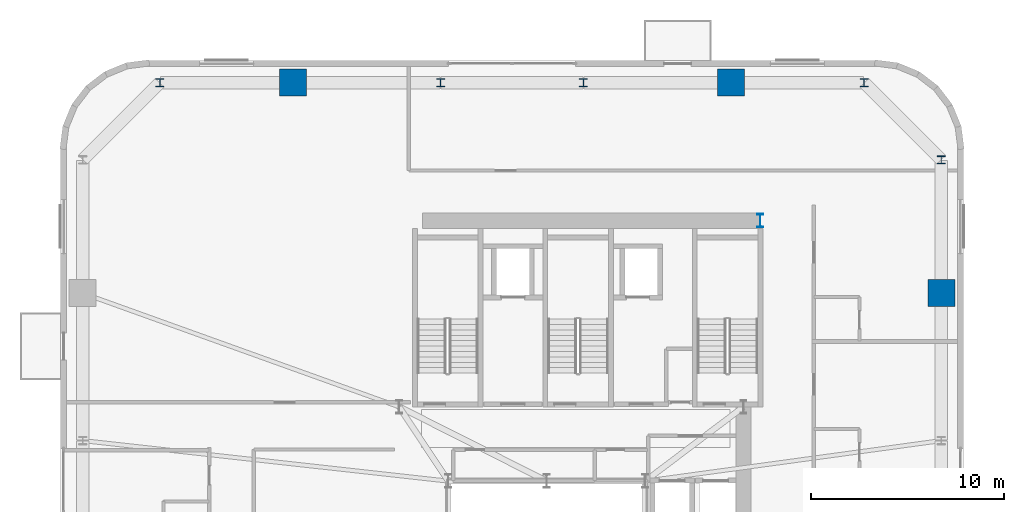
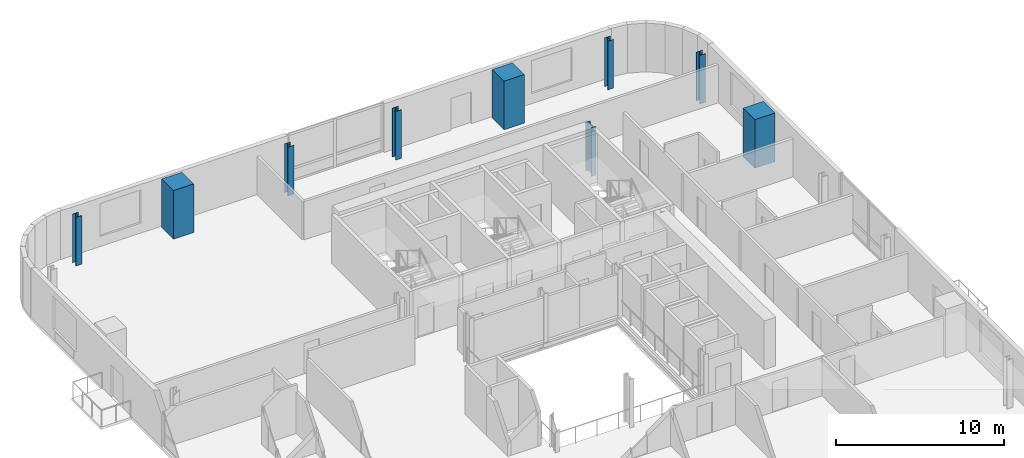
# One storey, part 2 of 16: 9 columns.
"""IFC4 building model written with IfcOpenShell, lengths in metres."""

from ifc_helpers import new_model, si_unit, direction, frame, origin, origin_2d, place, context, subcontext, project, spatial, rectangle, i_section, extrude, source, transform, mapped, material, material_profile, profile_set, type_object, element, save


model = new_model("IFC4")

# Units and contexts
model_context = context("Model", 3, precision=1e-05, world=origin(), true_north=direction((0.0, 1.0)))
body_context = subcontext(model_context, "Body", "Model", "MODEL_VIEW")
ifc_project = project(units=[si_unit("LENGTHUNIT", "METRE"), si_unit("AREAUNIT", "SQUARE_METRE"), si_unit("VOLUMEUNIT", "CUBIC_METRE"), si_unit("PLANEANGLEUNIT", "RADIAN"), si_unit("MASSUNIT", "GRAM", prefix="KILO")], contexts=[model_context])

# Site, building, storey
site_placement = place(None, origin())
site = spatial("IfcSite", under=ifc_project, at=site_placement, CompositionType="ELEMENT")
building_placement = place(site_placement, origin())
building = spatial("IfcBuilding", under=site, at=building_placement, Name="Vardaveli Station Tower", CompositionType="ELEMENT")
storey_placement = place(building_placement, frame((0.0, 0.0, 211.050048828125)))
storey = spatial("IfcBuildingStorey", under=building, at=storey_placement, Name="L54", CompositionType="ELEMENT", Elevation=211.050048828125)

# Columns
ifc_material_1 = material(Name="Structural steel S460M", Category="steel")
ifc_material_profile_1 = material_profile(ifc_material_1, i_section(OverallWidth=0.300048828125, OverallDepth=0.699951171875, WebThickness=0.01708984375, FlangeThickness=0.031982421875, FilletRadius=0.027099609375, at=origin_2d()), Name="HEB 700")
ifc_profile_set_1 = profile_set([ifc_material_profile_1], Name="Structural steel S460M")
column_type_1 = type_object("IfcColumnType", Name="COL-HEB700", PredefinedType="COLUMN", material=ifc_profile_set_1)
shared_shape_1 = source(origin(), body_context, "Body", "SweptSolid", [
    extrude(i_section(OverallWidth=0.300048828125, OverallDepth=0.699951171875, WebThickness=0.01708984375, FlangeThickness=0.031982421875, FilletRadius=0.027099609375, at=origin_2d()), origin(), (0.0, 0.0, 1.0), 3.530029296875),
])
column_placement = place(storey_placement, frame((47.3701171875, 40.300048828125, 0.0), z_axis=(0.0, 0.0, 1.0), x_axis=(1.0, 0.0, 0.0)))
element("IfcColumn", 1, at=column_placement, inside=storey, type_object=column_type_1, Name="COL-L54-CC3", PredefinedType="COLUMN", context=body_context, shape_type="MappedRepresentation", body=[
    mapped(shared_shape_1, transform((0.0, 0.0, 0.0), scale=1.0)),
])
ifc_material_2 = material(Name="Concrete C50/60", Category="concrete")
ifc_material_profile_2 = material_profile(ifc_material_2, rectangle(XDim=1.39990234375, YDim=1.39990234375, at=origin_2d()), Name="MC 1400x1400")
ifc_profile_set_2 = profile_set([ifc_material_profile_2], Name="Concrete C50/60")
column_type_2 = type_object("IfcColumnType", Name="COL-MC-1400", PredefinedType="COLUMN", material=ifc_profile_set_2)
shared_shape_2 = source(origin(), body_context, "Body", "SweptSolid", [
    extrude(rectangle(XDim=1.39990234375, YDim=1.39990234375, at=origin_2d()), origin(), (0.0, 0.0, 1.0), 3.530029296875),
])
for number, where, z_axis, x_axis, name in (
    (2, (56.75, 36.5400390625, 0.0), (0.0, 0.0, 1.0), (1.0, 0.0, 0.0), "COL-L54-MC4"),
    (3, (45.840087890625, 47.449951171875, 0.0), (0.0, 0.0, 1.0), (1.0, 0.0, 0.0), "COL-L54-MC5"),
    (4, (23.159912109375, 47.449951171875, 0.0), (0.0, 0.0, 1.0), (1.0, 0.0, 0.0), "COL-L54-MC6"),
):
    element("IfcColumn", number, at=place(storey_placement, frame(where, z_axis=z_axis, x_axis=x_axis)), inside=storey, type_object=column_type_2, Name=name, PredefinedType="COLUMN", context=body_context, shape_type="MappedRepresentation", body=[
        mapped(shared_shape_2, transform((0.0, 0.0, 0.0), scale=1.0)),
    ])
ifc_material_profile_3 = material_profile(ifc_material_1, i_section(OverallWidth=0.408935546875, OverallDepth=0.4169921875, WebThickness=0.021240234375, FlangeThickness=0.033203125, FilletRadius=0.014892578125, at=origin_2d()), Name="HD 400x347")
ifc_profile_set_3 = profile_set([ifc_material_profile_3], Name="Structural steel S460M")
column_type_3 = type_object("IfcColumnType", Name="COL-HD347", PredefinedType="COLUMN", material=ifc_profile_set_3)
shared_shape_3 = source(origin(), body_context, "Body", "SweptSolid", [
    extrude(i_section(OverallWidth=0.408935546875, OverallDepth=0.4169921875, WebThickness=0.021240234375, FlangeThickness=0.033203125, FilletRadius=0.014892578125, at=origin_2d()), origin(), (0.0, 0.0, 1.0), 3.530029296875),
])
for number, where, z_axis, x_axis, name in (
    (5, (56.75, 43.449951171875, 0.0), (0.0, 0.0, 1.0), (1.0, 0.0, 0.0), "COL-L54-PC08"),
    (6, (52.75, 47.449951171875, 0.0), (0.0, 0.0, 1.0), (1.0, 0.0, 0.0), "COL-L54-PC09"),
    (7, (38.199951171875, 47.449951171875, 0.0), (0.0, 0.0, 1.0), (1.0, 0.0, 0.0), "COL-L54-PC10"),
    (8, (30.800048828125, 47.449951171875, 0.0), (0.0, 0.0, 1.0), (1.0, 0.0, 0.0), "COL-L54-PC11"),
    (9, (16.25, 47.449951171875, 0.0), (0.0, 0.0, 1.0), (1.0, 0.0, 0.0), "COL-L54-PC12"),
):
    element("IfcColumn", number, at=place(storey_placement, frame(where, z_axis=z_axis, x_axis=x_axis)), inside=storey, type_object=column_type_3, Name=name, PredefinedType="COLUMN", context=body_context, shape_type="MappedRepresentation", body=[
        mapped(shared_shape_3, transform((0.0, 0.0, 0.0), scale=1.0)),
    ])

save(model, "model.ifc")
